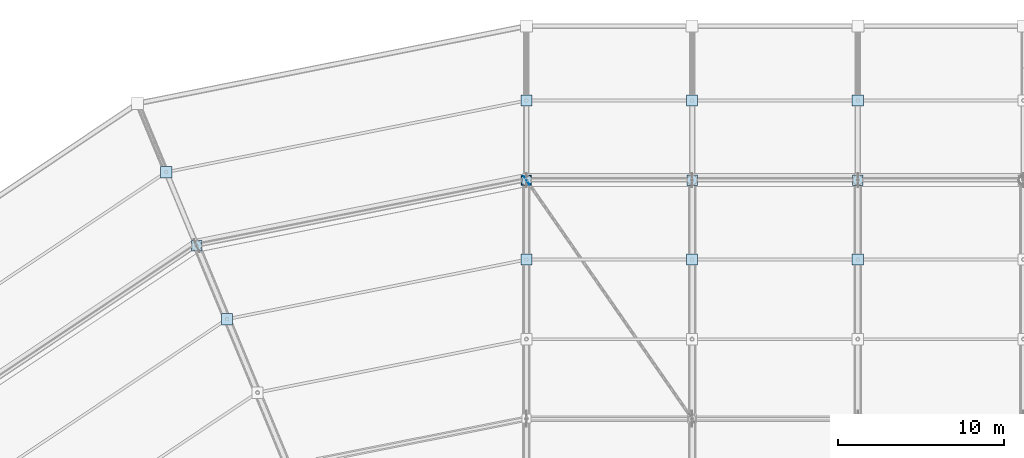
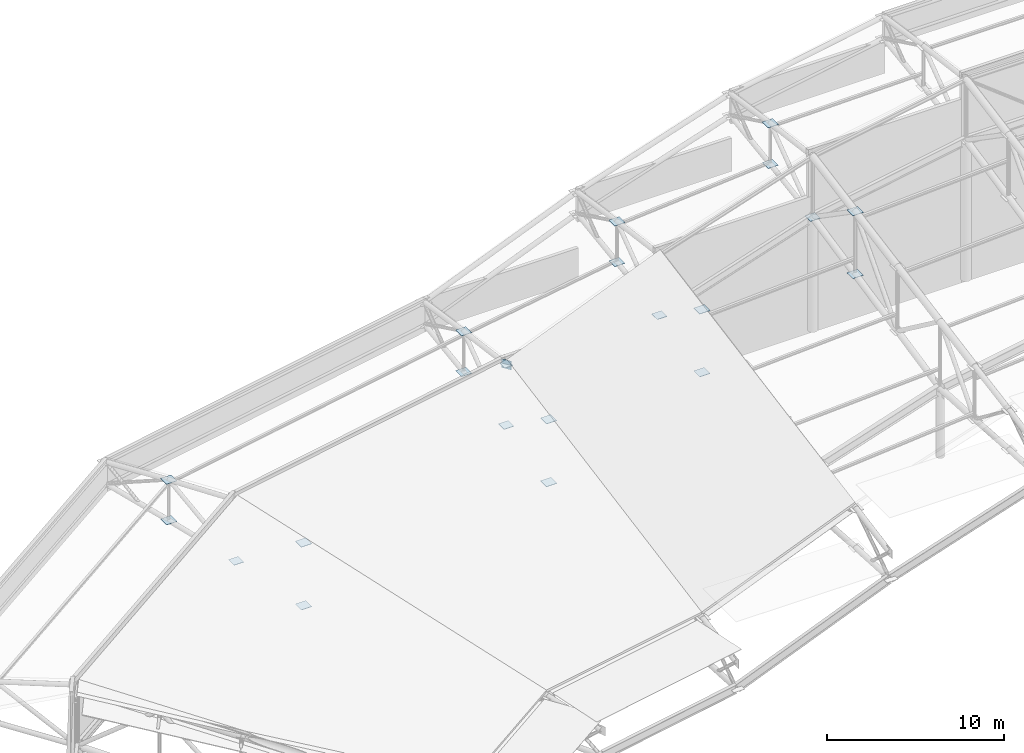
# One storey, part 143 of 146: 22 plates.
"""IFC4 building model written with IfcOpenShell, lengths in metres."""

from ifc_helpers import new_model, si_unit, direction, frame, origin, origin_2d, place, context, subcontext, project, spatial, rectangle, extrude, material, layer, layer_set, type_object, element, save


model = new_model("IFC4")

# Units and contexts
model_context = context("Model", 3, precision=1e-05, world=origin(), true_north=direction((0.0, 1.0)))
body_context = subcontext(model_context, "Body", "Model", "MODEL_VIEW")
ifc_project = project(units=[si_unit("LENGTHUNIT", "METRE"), si_unit("AREAUNIT", "SQUARE_METRE"), si_unit("VOLUMEUNIT", "CUBIC_METRE"), si_unit("PLANEANGLEUNIT", "RADIAN"), si_unit("MASSUNIT", "GRAM", prefix="KILO")], contexts=[model_context])

# Site, building, storey
site_placement = place(None, origin())
site = spatial("IfcSite", under=ifc_project, at=site_placement, CompositionType="ELEMENT")
building_placement = place(site_placement, origin())
building = spatial("IfcBuilding", under=site, at=building_placement, Name="Candeia Ridge Stadium", CompositionType="ELEMENT")
storey_placement = place(building_placement, frame((0.0, 0.0, 31.800048828125)))
storey = spatial("IfcBuildingStorey", under=building, at=storey_placement, Name="RF", CompositionType="ELEMENT", Elevation=31.800048828125)

# Plates
ifc_material = material(Name="Steel ASTM A572 Grade 50", Category="steel")
ifc_layer_1 = layer(ifc_material, 0.02490234375, Name="Steel ASTM A572 Grade 50", Category="steel")
ifc_layer_set_1 = layer_set([ifc_layer_1], Name="Steel ASTM A572 Grade 50")
plate_type_1 = type_object("IfcPlateType", Name="Hollow Section End Closure Plate CP1", PredefinedType="SHEET", material=ifc_layer_set_1)
for number, where, z_axis, x_axis, name in (
    (1, (91.0, 147.0, 7.73681640625), (0.0, 0.0, 1.0), (1.0, 0.0, 0.0), "Hollow section end closure plate MCAP-T-BC-OU-05"),
    (2, (81.0, 147.0, 4.466064453125), (0.0, 0.0, 1.0), (1.0, 0.0, 0.0), "Hollow section end closure plate MCAP-T-BC-OU-06"),
    (3, (71.0, 147.0, 0.387451171875), (0.0, 0.0, 1.0), (1.0, 0.0, 0.0), "Hollow section end closure plate MCAP-T-BC-OU-07"),
    (4, (51.100341796875, 143.041748046875, 0.387451171875), (0.0, 0.0, 1.0), (1.0, 0.0, 0.0), "Hollow section end closure plate MCAP-T-BC-OU-08"),
):
    element("IfcPlate", number, at=place(storey_placement, frame(where, z_axis=z_axis, x_axis=x_axis)), inside=storey, type_object=plate_type_1, Name=name, PredefinedType="SHEET", context=body_context, shape_type="SweptSolid", body=[
        extrude(rectangle(XDim=0.639892578125, YDim=0.639892578125, at=origin_2d()), origin(), (0.0, 0.0, 1.0), 0.02490234375),
    ])
ifc_layer_2 = layer(ifc_material, 0.02490234375, Name="Steel ASTM A572 Grade 50", Category="steel")
ifc_layer_set_2 = layer_set([ifc_layer_2], Name="Steel ASTM A572 Grade 50")
plate_type_2 = type_object("IfcPlateType", Name="Hollow Section End Closure Plate CP3", PredefinedType="SHEET", material=ifc_layer_set_2)
for number, where, z_axis, x_axis, name in (
    (5, (91.0, 142.199951171875, 11.048583984375), (0.0, 0.0, 1.0), (1.0, 0.0, 0.0), "Hollow section end closure plate NCAP-T-05-5"),
    (6, (91.0, 142.199951171875, 6.71533203125), (0.0, 0.0, 1.0), (1.0, 0.0, 0.0), "Hollow section end closure plate NCAP-B-05-5"),
    (7, (91.0, 151.800048828125, 11.295166015625), (0.0, 0.0, 1.0), (1.0, 0.0, 0.0), "Hollow section end closure plate NCAP-T-05-7"),
    (8, (91.0, 151.800048828125, 8.488525390625), (0.0, 0.0, 1.0), (1.0, 0.0, 0.0), "Hollow section end closure plate NCAP-B-05-7"),
    (9, (81.0, 142.199951171875, 7.778076171875), (0.0, 0.0, 1.0), (1.0, 0.0, 0.0), "Hollow section end closure plate NCAP-T-06-5"),
    (10, (81.0, 142.199951171875, 3.444580078125), (0.0, 0.0, 1.0), (1.0, 0.0, 0.0), "Hollow section end closure plate NCAP-B-06-5"),
    (11, (81.0, 151.800048828125, 8.0244140625), (0.0, 0.0, 1.0), (1.0, 0.0, 0.0), "Hollow section end closure plate NCAP-T-06-7"),
    (12, (81.0, 151.800048828125, 5.218017578125), (0.0, 0.0, 1.0), (1.0, 0.0, 0.0), "Hollow section end closure plate NCAP-B-06-7"),
):
    element("IfcPlate", number, at=place(storey_placement, frame(where, z_axis=z_axis, x_axis=x_axis)), inside=storey, type_object=plate_type_2, Name=name, PredefinedType="SHEET", context=body_context, shape_type="SweptSolid", body=[
        extrude(rectangle(XDim=0.679931640625, YDim=0.679931640625, at=origin_2d()), origin(), (0.0, 0.0, 1.0), 0.02490234375),
    ])
plate_1_placement = place(storey_placement, frame((71.011474609375, 146.983642578125, 4.589111328125), z_axis=(0.0, 0.0, 1.0), x_axis=(1.0, 0.0, 0.0)))
element("IfcPlate", 13, at=plate_1_placement, inside=storey, type_object=plate_type_2, Name="Hollow section end closure plate WBCAP-B-06", PredefinedType="SHEET", context=body_context, shape_type="SweptSolid", body=[
    extrude(rectangle(XDim=0.550048828125, YDim=0.550048828125, at=origin_2d()), origin(), (0.0, 0.0, 1.0), 0.02490234375),
])
for number, where, z_axis, x_axis, name in (
    (14, (71.0, 142.199951171875, 3.699462890625), (0.0, 0.0, 1.0), (1.0, 0.0, 0.0), "Hollow section end closure plate NCAP-T-07-5"),
    (15, (71.0, 142.199951171875, -0.6337890625), (0.0, 0.0, 1.0), (1.0, 0.0, 0.0), "Hollow section end closure plate NCAP-B-07-5"),
    (16, (71.0, 151.800048828125, 3.94580078125), (0.0, 0.0, 1.0), (1.0, 0.0, 0.0), "Hollow section end closure plate NCAP-T-07-7"),
    (17, (71.0, 151.800048828125, 1.139404296875), (0.0, 0.0, 1.0), (1.0, 0.0, 0.0), "Hollow section end closure plate NCAP-B-07-7"),
    (18, (52.937255859375, 138.607177734375, 3.699462890625), (0.0, 0.0, 1.0), (1.0, 0.0, 0.0), "Hollow section end closure plate NCAP-T-08-5"),
    (19, (52.937255859375, 138.607177734375, -0.6337890625), (0.0, 0.0, 1.0), (1.0, 0.0, 0.0), "Hollow section end closure plate NCAP-B-08-5"),
    (20, (49.263671875, 147.476318359375, 3.94580078125), (0.0, 0.0, 1.0), (1.0, 0.0, 0.0), "Hollow section end closure plate NCAP-T-08-7"),
    (21, (49.263671875, 147.476318359375, 1.139404296875), (0.0, 0.0, 1.0), (1.0, 0.0, 0.0), "Hollow section end closure plate NCAP-B-08-7"),
):
    element("IfcPlate", number, at=place(storey_placement, frame(where, z_axis=z_axis, x_axis=x_axis)), inside=storey, type_object=plate_type_2, Name=name, PredefinedType="SHEET", context=body_context, shape_type="SweptSolid", body=[
        extrude(rectangle(XDim=0.679931640625, YDim=0.679931640625, at=origin_2d()), origin(), (0.0, 0.0, 1.0), 0.02490234375),
    ])
ifc_layer_3 = layer(ifc_material, 0.02392578125, Name="Steel ASTM A572 Grade 50", Category="steel")
ifc_layer_set_3 = layer_set([ifc_layer_3], Name="Steel ASTM A572 Grade 50")
plate_type_3 = type_object("IfcPlateType", Name="Roof Truss Chord-Web Node Gusset ND-3", PredefinedType="USERDEFINED", material=ifc_layer_set_3)
plate_2_placement = place(storey_placement, frame((71.011474609375, 146.983642578125, 4.301513671875), z_axis=(0.0, 0.0, 1.0), x_axis=(-0.570395359839, 0.821370277934, 0.0)))
element("IfcPlate", 22, at=plate_2_placement, inside=storey, type_object=plate_type_3, Name="Roof wind brace end gusset B bay 07", ObjectType="GUSSET PLATE", PredefinedType="USERDEFINED", context=body_context, shape_type="SweptSolid", body=[
    extrude(rectangle(XDim=0.60009765625, YDim=0.02392578125, at=origin_2d()), origin(), (0.0, 0.0, 1.0), 0.60009765625),
])

save(model, "model.ifc")
